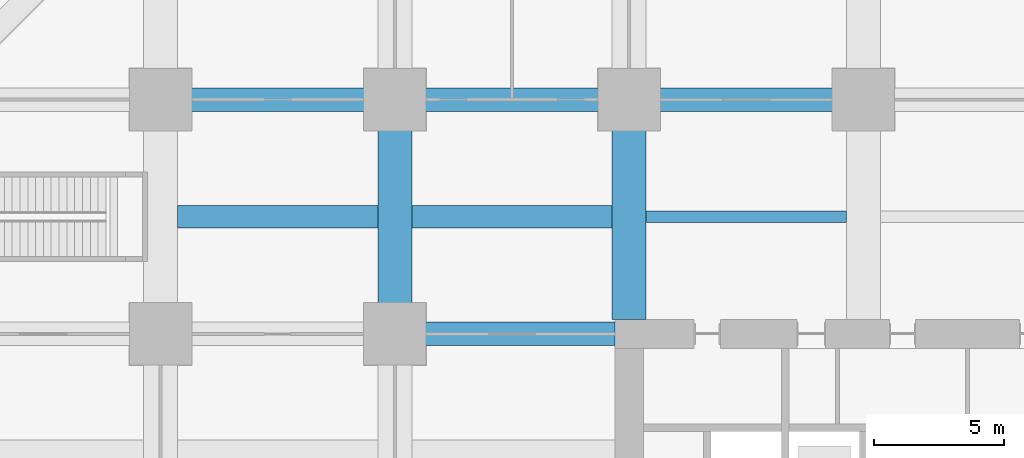
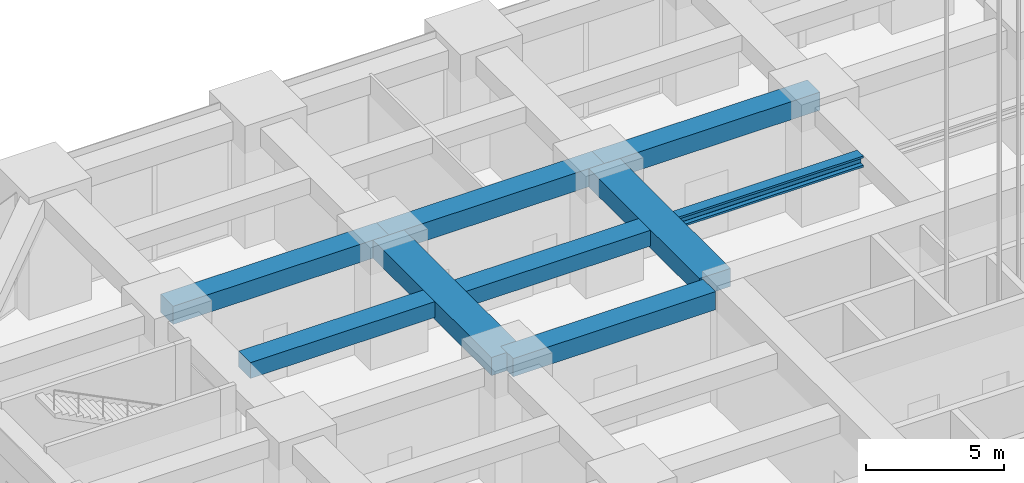
# One storey, part 20 of 56: 9 beams.
"""IFC4 building model written with IfcOpenShell, lengths in metres."""

from ifc_helpers import new_model, si_unit, direction, frame, origin, origin_2d, place, context, subcontext, project, spatial, rectangle, i_section, extrude, material, material_profile, profile_set, type_object, element, save


model = new_model("IFC4")

# Units and contexts
model_context = context("Model", 3, precision=1e-05, world=origin(), true_north=direction((0.0, 1.0)))
body_context = subcontext(model_context, "Body", "Model", "MODEL_VIEW")
ifc_project = project(units=[si_unit("LENGTHUNIT", "METRE"), si_unit("AREAUNIT", "SQUARE_METRE"), si_unit("VOLUMEUNIT", "CUBIC_METRE"), si_unit("PLANEANGLEUNIT", "RADIAN"), si_unit("MASSUNIT", "GRAM", prefix="KILO")], contexts=[model_context])

# Site, building, storey
site_placement = place(None, origin())
site = spatial("IfcSite", under=ifc_project, at=site_placement, CompositionType="ELEMENT")
building_placement = place(site_placement, origin())
building = spatial("IfcBuilding", under=site, at=building_placement, Name="Zorevar Civic Tower", CompositionType="ELEMENT")
storey_placement = place(building_placement, origin())
storey = spatial("IfcBuildingStorey", under=building, at=storey_placement, Name="L00", CompositionType="ELEMENT", Elevation=0.0)

# Beams
ifc_material_1 = material(Name="Concrete C50/60", Category="concrete")
ifc_material_profile_1 = material_profile(ifc_material_1, rectangle(XDim=1.300048828125, YDim=0.800048828125, at=origin_2d()), Name="RC 1300x800")
ifc_profile_set_1 = profile_set([ifc_material_profile_1], Name="Concrete C50/60")
beam_type_1 = type_object("IfcBeamType", Name="Beam RC 1300x800", PredefinedType="BEAM", material=ifc_profile_set_1)
beam_1_placement = place(storey_placement, frame((9.0, 36.0, 4.699951171875), z_axis=(0.0, 1.0, 0.0), x_axis=(-1.0, 0.0, 0.0)))
element("IfcBeam", 1, at=beam_1_placement, inside=storey, type_object=beam_type_1, Name="Girder L01", PredefinedType="BEAM", context=body_context, shape_type="SweptSolid", body=[
    extrude(rectangle(XDim=1.300048828125, YDim=0.800048828125, at=origin_2d()), origin(), (0.0, 0.0, 1.0), 9.0),
])
beam_2_placement = place(storey_placement, frame((18.0, 36.550048828125, 4.699951171875), z_axis=(0.0, 1.0, 0.0), x_axis=(-1.0, 0.0, 0.0)))
element("IfcBeam", 2, at=beam_2_placement, inside=storey, type_object=beam_type_1, Name="Girder L01", PredefinedType="BEAM", context=body_context, shape_type="SweptSolid", body=[
    extrude(rectangle(XDim=1.300048828125, YDim=0.800048828125, at=origin_2d()), origin(), (0.0, 0.0, 1.0), 8.449951171875),
])
ifc_material_2 = material(Name="Concrete C50/60", Category="concrete")
ifc_material_profile_2 = material_profile(ifc_material_2, rectangle(XDim=0.85009765625, YDim=0.699951171875, at=origin_2d()), Name="RC 850x700")
ifc_profile_set_2 = profile_set([ifc_material_profile_2], Name="Concrete C50/60")
beam_type_2 = type_object("IfcBeamType", Name="Beam RC 850x700", PredefinedType="BEAM", material=ifc_profile_set_2)
for number, where, z_axis, x_axis, name in (
    (3, (0.64990234375, 40.5, 4.75), (1.0, 0.0, 0.0), (0.0, 1.0, 0.0), "Secondary beam L01"),
    (4, (9.64990234375, 40.5, 4.75), (1.0, 0.0, 0.0), (0.0, 1.0, 0.0), "Secondary beam L01"),
):
    element("IfcBeam", number, at=place(storey_placement, frame(where, z_axis=z_axis, x_axis=x_axis)), inside=storey, type_object=beam_type_2, Name=name, PredefinedType="BEAM", context=body_context, shape_type="SweptSolid", body=[
        extrude(rectangle(XDim=0.85009765625, YDim=0.699951171875, at=origin_2d()), origin(), (0.0, 0.0, 1.0), 7.7001953125),
    ])
ifc_material_3 = material(Name="Concrete C50/60", Category="concrete")
ifc_material_profile_3 = material_profile(ifc_material_3, rectangle(XDim=0.89990234375, YDim=0.800048828125, at=origin_2d()), Name="RC 900x800")
ifc_profile_set_3 = profile_set([ifc_material_profile_3], Name="Concrete C50/60")
beam_type_3 = type_object("IfcBeamType", Name="Beam RC 900x800", PredefinedType="BEAM", material=ifc_profile_set_3)
beam_3_placement = place(storey_placement, frame((9.0, 36.0, 4.699951171875), z_axis=(1.0, 0.0, 0.0), x_axis=(0.0, 1.0, 0.0)))
element("IfcBeam", 5, at=beam_3_placement, inside=storey, type_object=beam_type_3, Name="Girder L01", PredefinedType="BEAM", context=body_context, shape_type="SweptSolid", body=[
    extrude(rectangle(XDim=0.89990234375, YDim=0.800048828125, at=origin_2d()), origin(), (0.0, 0.0, 1.0), 8.449951171875),
])
for number, where, z_axis, x_axis, name in (
    (6, (0.0, 45.0, 4.699951171875), (1.0, 0.0, 0.0), (0.0, 1.0, 0.0), "Girder L01"),
    (7, (9.0, 45.0, 4.699951171875), (1.0, 0.0, 0.0), (0.0, 1.0, 0.0), "Girder L01"),
    (8, (18.0, 45.0, 4.699951171875), (1.0, 0.0, 0.0), (0.0, 1.0, 0.0), "Girder L01"),
):
    element("IfcBeam", number, at=place(storey_placement, frame(where, z_axis=z_axis, x_axis=x_axis)), inside=storey, type_object=beam_type_3, Name=name, PredefinedType="BEAM", context=body_context, shape_type="SweptSolid", body=[
        extrude(rectangle(XDim=0.89990234375, YDim=0.800048828125, at=origin_2d()), origin(), (0.0, 0.0, 1.0), 9.0),
    ])
ifc_material_4 = material(Name="Steel S460M (HISTAR 460)", Category="steel")
ifc_material_profile_4 = material_profile(ifc_material_4, i_section(OverallWidth=0.431884765625, OverallDepth=0.498046875, WebThickness=0.0556640625, FlangeThickness=0.0888671875, FilletRadius=0.014892578125, at=origin_2d()), Name="HD 400x744")
ifc_profile_set_4 = profile_set([ifc_material_profile_4], Name="Steel S460M (HISTAR 460)")
beam_type_4 = type_object("IfcBeamType", Name="Core bay beam HD 400x744", PredefinedType="BEAM", material=ifc_profile_set_4)
beam_4_placement = place(storey_placement, frame((18.64990234375, 40.5, 4.85107421875), z_axis=(1.0, 0.0, 0.0), x_axis=(0.0, 1.0, 0.0)))
element("IfcBeam", 9, at=beam_4_placement, inside=storey, type_object=beam_type_4, Name="Secondary beam L01", PredefinedType="BEAM", context=body_context, shape_type="SweptSolid", body=[
    extrude(i_section(OverallWidth=0.431884765625, OverallDepth=0.498046875, WebThickness=0.0556640625, FlangeThickness=0.0888671875, FilletRadius=0.014892578125, at=origin_2d()), origin(), (0.0, 0.0, 1.0), 7.7001953125),
])

save(model, "model.ifc")
